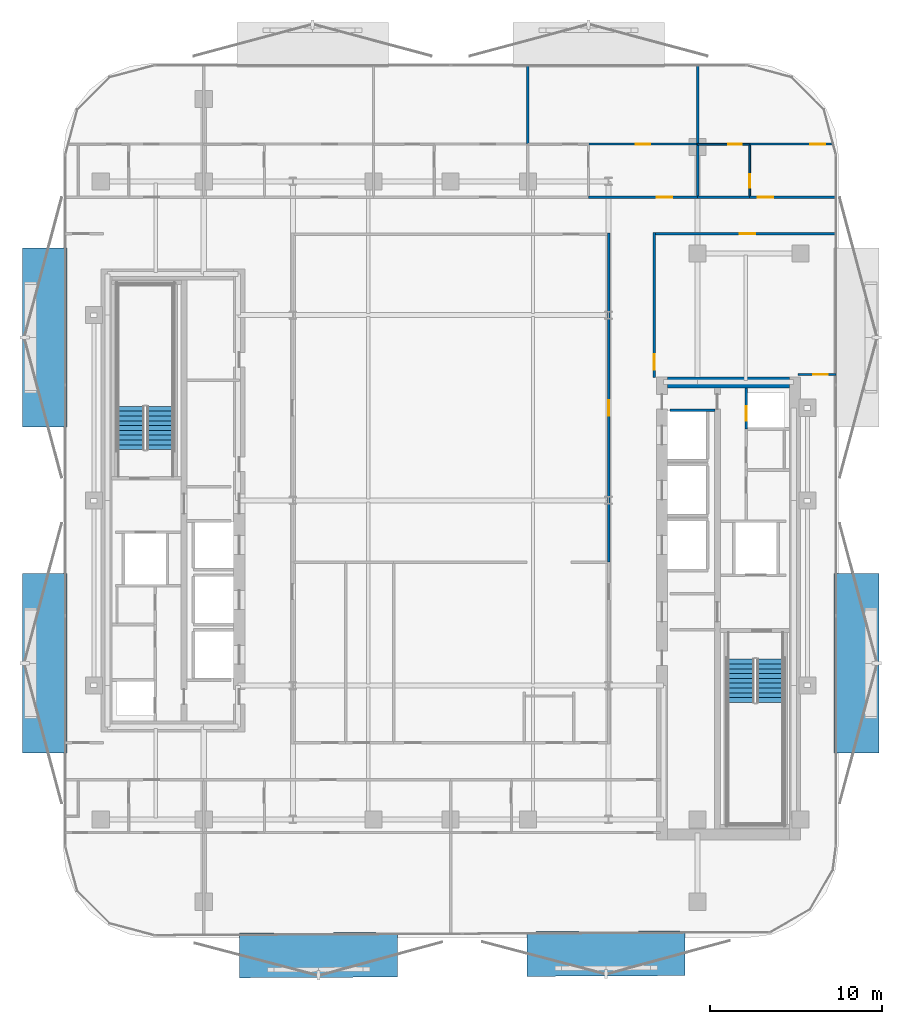
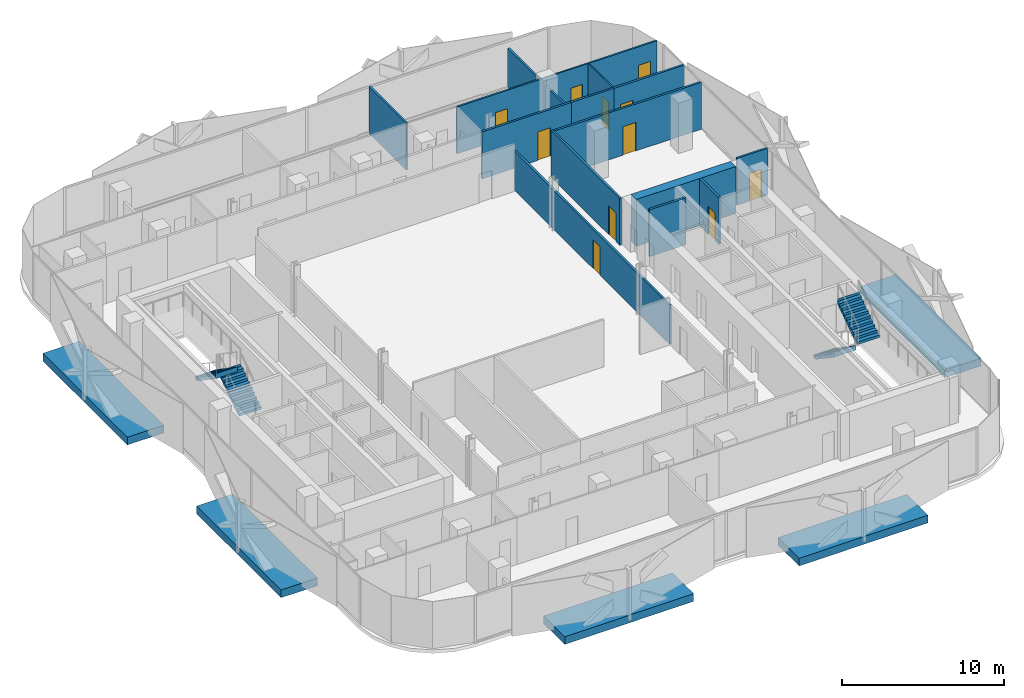
# One storey, part 7 of 17: 17 walls, 11 doors, 5 discrete accessories, 4 stair flights, 11 openings, 2 elements without a shape of their own.
"""IFC4 building model written with IfcOpenShell, lengths in metres."""

from ifc_helpers import new_model, si_unit, direction, frame, frame_2d, origin, origin_2d, place, context, subcontext, project, spatial, polyline, rectangle, outline, extrude, material, layer, layer_set, type_object, element, fill, aggregate, save


model = new_model("IFC4")

# Units and contexts
model_context = context("Model", 3, precision=1e-05, world=origin(), true_north=direction((0.0, 1.0)))
body_context = subcontext(model_context, "Body", "Model", "MODEL_VIEW")
ifc_project = project(units=[si_unit("LENGTHUNIT", "METRE"), si_unit("AREAUNIT", "SQUARE_METRE"), si_unit("VOLUMEUNIT", "CUBIC_METRE"), si_unit("PLANEANGLEUNIT", "RADIAN"), si_unit("MASSUNIT", "GRAM", prefix="KILO")], contexts=[model_context])

# Site, building, storey
site_placement = place(None, origin())
site = spatial("IfcSite", under=ifc_project, at=site_placement, CompositionType="ELEMENT")
building_placement = place(site_placement, origin())
building = spatial("IfcBuilding", under=site, at=building_placement, Name="Khairoan Windgate Tower", CompositionType="ELEMENT")
storey_placement = place(building_placement, frame((0.0, 0.0, 165.0)))
storey = spatial("IfcBuildingStorey", under=building, at=storey_placement, Name="L37", CompositionType="ELEMENT", Elevation=165.0)

# Wall, opening, door
ifc_material_1 = material(Name="Moisture-Resistant Gypsum Partition", Category="gypsum")
ifc_layer_1 = layer(ifc_material_1, 0.10009765625, Name="Moisture-Resistant Gypsum Partition")
ifc_layer_set_1 = layer_set([ifc_layer_1], Name="Moisture-Resistant Gypsum Partition")
wall_type_1 = type_object("IfcWallType", Name="Bathroom Wet-Area Partition Wall", PredefinedType="PARTITIONING", material=ifc_layer_set_1)
wall_1_placement = place(storey_placement, frame((17.43603515625, 17.7548828125, 0.0), z_axis=(0.0, 0.0, 1.0), x_axis=(0.0, 1.0, 0.0)))
wall_1 = element("IfcWall", 1, at=wall_1_placement, inside=storey, type_object=wall_type_1, Name="L37 Interior Partition 070", PredefinedType="PARTITIONING", context=body_context, shape_type="SweptSolid", body=[
    extrude(rectangle(XDim=2.965087890625, YDim=0.10009765625, at=frame_2d((1.482421875, 0.0))), origin(), (0.0, 0.0, 1.0), 3.5400390625),
])
opening_1_placement = place(wall_1_placement, frame((0.4599609375, 0.0, 0.0)))
opening_1 = element("IfcOpeningElement", 2, at=opening_1_placement, cuts=wall_1, Name="Opening ID-BTH", PredefinedType="OPENING", context=body_context, shape_type="SweptSolid", body=[
    extrude(rectangle(XDim=0.800048828125, YDim=2.10009765625, at=frame_2d((0.39990234375, 1.050048828125))), frame((0.0, 0.06005859375, 0.0), z_axis=(0.0, -1.0, 0.0), x_axis=(1.0, 0.0, 0.0)), (0.0, 0.0, 1.0), 0.1201171875),
])
ifc_material_2 = material(Name="Teak Veneer Timber Leaf", Category="wood")
door_type_1 = type_object("IfcDoorType", Name="Internal Bathroom Door ID-BTH 800x2100", OperationType="NOTDEFINED", PredefinedType="DOOR", material=ifc_material_2)
door_1_placement = place(opening_1_placement, origin())
door_1 = element("IfcDoor", 3, at=door_1_placement, inside=storey, type_object=door_type_1, Name="L37 L37-50-L37-51 Door", OperationType="SINGLE_SWING_RIGHT", OverallHeight=2.10009765625, OverallWidth=0.800048828125, PredefinedType="DOOR", context=body_context, shape_type="SweptSolid", body=[
    extrude(rectangle(XDim=0.800048828125, YDim=2.10009765625, at=frame_2d((0.39990234375, 1.050048828125))), frame((0.0, 0.02490234375, 0.0), z_axis=(0.0, -1.0, 0.0), x_axis=(1.0, 0.0, 0.0)), (0.0, 0.0, 1.0), 0.050048828125),
])
fill(opening_1, door_1)

wall_2_placement = place(storey_placement, frame((14.39990234375, 20.77001953125, 0.0), z_axis=(0.0, 0.0, 1.0), x_axis=(1.0, 0.0, 0.0)))
wall_2 = element("IfcWall", 4, at=wall_2_placement, inside=storey, type_object=wall_type_1, Name="L37 Interior Partition 071", PredefinedType="PARTITIONING", context=body_context, shape_type="SweptSolid", body=[
    extrude(rectangle(XDim=3.0361328125, YDim=0.10009765625, at=frame_2d((1.51806640625, 0.0))), origin(), (0.0, 0.0, 1.0), 3.5400390625),
])
opening_2_placement = place(wall_2_placement, frame((1.77587890625, 0.0, 0.0)))
opening_2 = element("IfcOpeningElement", 5, at=opening_2_placement, cuts=wall_2, Name="Opening ID-BTH", PredefinedType="OPENING", context=body_context, shape_type="SweptSolid", body=[
    extrude(rectangle(XDim=0.800048828125, YDim=2.10009765625, at=frame_2d((0.39990234375, 1.050048828125))), frame((0.0, 0.06005859375, 0.0), z_axis=(0.0, -1.0, 0.0), x_axis=(1.0, 0.0, 0.0)), (0.0, 0.0, 1.0), 0.1201171875),
])
door_2_placement = place(opening_2_placement, origin())
door_2 = element("IfcDoor", 6, at=door_2_placement, inside=storey, type_object=door_type_1, Name="L37 L37-50-L37-52 Door", OperationType="SINGLE_SWING_LEFT", OverallHeight=2.10009765625, OverallWidth=0.800048828125, PredefinedType="DOOR", context=body_context, shape_type="SweptSolid", body=[
    extrude(rectangle(XDim=0.800048828125, YDim=2.10009765625, at=frame_2d((0.39990234375, 1.050048828125))), frame((0.0, 0.02490234375, 0.0), z_axis=(0.0, -1.0, 0.0), x_axis=(1.0, 0.0, 0.0)), (0.0, 0.0, 1.0), 0.050048828125),
])
fill(opening_2, door_2)

# Walls
ifc_material_3 = material(Name="Concrete C40/50", Category="concrete")
ifc_layer_2 = layer(ifc_material_3, 0.159912109375, Name="Concrete C40/50")
ifc_layer_set_2 = layer_set([ifc_layer_2], Name="Concrete C40/50")
wall_type_2 = type_object("IfcWallType", Name="Core and Hoistway Enclosure Wall", PredefinedType="STANDARD", material=ifc_layer_set_2)
wall_3_placement = place(storey_placement, frame((12.800048828125, 5.25, 0.0), z_axis=(0.0, 0.0, 1.0), x_axis=(1.0, 0.0, 0.0)))
element("IfcWall", 7, at=wall_3_placement, inside=storey, type_object=wall_type_2, Name="L37 Core Shaft Wall SW-ESV-L37", PredefinedType="STANDARD", context=body_context, shape_type="SweptSolid", body=[
    extrude(rectangle(XDim=2.599853515625, YDim=0.159912109375, at=frame_2d((1.2998046875, 0.0))), origin(), (0.0, 0.0, 1.0), 3.5400390625),
])
ifc_material_4 = material(Name="Acoustic Fire-Rated Gypsum Partition", Category="gypsum")
ifc_layer_3 = layer(ifc_material_4, 0.139892578125, Name="Acoustic Fire-Rated Gypsum Partition")
ifc_layer_set_3 = layer_set([ifc_layer_3], Name="Acoustic Fire-Rated Gypsum Partition")
wall_type_3 = type_object("IfcWallType", Name="Inter-Tenancy Compartment Wall", PredefinedType="PARTITIONING", material=ifc_layer_set_3)
wall_4_placement = place(storey_placement, frame((4.5, 20.77001953125, 0.0), z_axis=(0.0, 0.0, 1.0), x_axis=(0.0, 1.0, 0.0)))
element("IfcWall", 8, at=wall_4_placement, inside=storey, type_object=wall_type_3, Name="L37 Interior Partition 064", PredefinedType="PARTITIONING", context=body_context, shape_type="SweptSolid", body=[
    extrude(rectangle(XDim=4.5849609375, YDim=0.139892578125, at=frame_2d((2.29248046875, 0.0))), origin(), (0.0, 0.0, 1.0), 3.5400390625),
])
wall_5_placement = place(storey_placement, frame((14.39990234375, 17.7548828125, 0.0), z_axis=(0.0, 0.0, 1.0), x_axis=(0.0, 1.0, 0.0)))
element("IfcWall", 9, at=wall_5_placement, inside=storey, type_object=wall_type_3, Name="L37 Interior Partition 068", PredefinedType="PARTITIONING", context=body_context, shape_type="SweptSolid", body=[
    extrude(rectangle(XDim=3.01513671875, YDim=0.139892578125, at=frame_2d((1.507568359375, 0.0))), origin(), (0.0, 0.0, 1.0), 2.951904296875),
])
wall_6_placement = place(storey_placement, frame((14.39990234375, 20.77001953125, 0.0), z_axis=(0.0, 0.0, 1.0), x_axis=(0.0, 1.0, 0.0)))
element("IfcWall", 10, at=wall_6_placement, inside=storey, type_object=wall_type_3, Name="L37 Interior Partition 069", PredefinedType="PARTITIONING", context=body_context, shape_type="SweptSolid", body=[
    extrude(rectangle(XDim=4.5849609375, YDim=0.139892578125, at=frame_2d((2.29248046875, 0.0))), origin(), (0.0, 0.0, 1.0), 2.951904296875),
])

# Wall, opening, door
wall_7_placement = place(storey_placement, frame((20.239990234375, 7.340087890625, 0.0), z_axis=(0.0, 0.0, 1.0), x_axis=(1.0, 0.0, 0.0)))
wall_7 = element("IfcWall", 11, at=wall_7_placement, inside=storey, type_object=wall_type_3, Name="L37 Interior Partition 086", PredefinedType="PARTITIONING", context=body_context, shape_type="SweptSolid", body=[
    extrude(rectangle(XDim=2.215087890625, YDim=0.139892578125, at=frame_2d((1.107421875, 0.0))), origin(), (0.0, 0.0, 1.0), 3.5400390625),
])
opening_3_placement = place(wall_7_placement, frame((0.905029296875, 0.0, 0.0)))
opening_3 = element("IfcOpeningElement", 12, at=opening_3_placement, cuts=wall_7, Name="Opening FD-SRV", PredefinedType="OPENING", context=body_context, shape_type="SweptSolid", body=[
    extrude(rectangle(XDim=0.85009765625, YDim=2.10009765625, at=frame_2d((0.425048828125, 1.050048828125))), frame((0.0, 0.079833984375, 0.0), z_axis=(0.0, -1.0, 0.0), x_axis=(1.0, 0.0, 0.0)), (0.0, 0.0, 1.0), 0.159912109375),
])
ifc_material_5 = material(Name="Steel S355", Category="steel")
door_type_2 = type_object("IfcDoorType", Name="Core Service and Riser Fire Door FD-SRV 850x2100", OperationType="NOTDEFINED", PredefinedType="DOOR", material=ifc_material_5)
door_3_placement = place(opening_3_placement, origin())
door_3 = element("IfcDoor", 13, at=door_3_placement, inside=storey, type_object=door_type_2, Name="L37 L37-62-L37-64 Door", OperationType="SINGLE_SWING_RIGHT", OverallHeight=2.10009765625, OverallWidth=0.85009765625, PredefinedType="DOOR", context=body_context, shape_type="SweptSolid", body=[
    extrude(rectangle(XDim=0.85009765625, YDim=2.10009765625, at=frame_2d((0.425048828125, 1.050048828125))), frame((0.0, 0.02490234375, 0.0), z_axis=(0.0, -1.0, 0.0), x_axis=(1.0, 0.0, 0.0)), (0.0, 0.0, 1.0), 0.050048828125),
])
fill(opening_3, door_3)

ifc_material_6 = material(Name="Gypsum Stud Partition", Category="gypsum")
ifc_layer_4 = layer(ifc_material_6, 0.1201171875, Name="Gypsum Stud Partition")
ifc_layer_set_4 = layer_set([ifc_layer_4], Name="Gypsum Stud Partition")
wall_type_4 = type_object("IfcWallType", Name="Internal Room Partition Wall", PredefinedType="PARTITIONING", material=ifc_layer_set_4)
wall_8_placement = place(storey_placement, frame((8.0400390625, 20.77001953125, 0.0), z_axis=(0.0, 0.0, 1.0), x_axis=(1.0, 0.0, 0.0)))
wall_8 = element("IfcWall", 14, at=wall_8_placement, inside=storey, type_object=wall_type_4, Name="L37 Interior Partition 067", PredefinedType="PARTITIONING", context=body_context, shape_type="SweptSolid", body=[
    extrude(rectangle(XDim=6.35986328125, YDim=0.1201171875, at=frame_2d((3.179931640625, 0.0))), origin(), (0.0, 0.0, 1.0), 3.5400390625),
])
opening_4_placement = place(wall_8_placement, frame((2.75, 0.0, 0.0)))
opening_4 = element("IfcOpeningElement", 15, at=opening_4_placement, cuts=wall_8, Name="Opening ID-RM", PredefinedType="OPENING", context=body_context, shape_type="SweptSolid", body=[
    extrude(rectangle(XDim=0.860107421875, YDim=2.14990234375, at=frame_2d((0.43017578125, 1.074951171875))), frame((0.0, 0.070068359375, 0.0), z_axis=(0.0, -1.0, 0.0), x_axis=(1.0, 0.0, 0.0)), (0.0, 0.0, 1.0), 0.14013671875),
])
ifc_material_7 = material(Name="Teak Veneer Timber Leaf", Category="wood")
door_type_3 = type_object("IfcDoorType", Name="Internal Bedroom and Office Door ID-RM 860x2150", OperationType="NOTDEFINED", PredefinedType="DOOR", material=ifc_material_7)
door_4_placement = place(opening_4_placement, origin())
door_4 = element("IfcDoor", 16, at=door_4_placement, inside=storey, type_object=door_type_3, Name="L37 L37-48-L37-49 Door", OperationType="SINGLE_SWING_LEFT", OverallHeight=2.14990234375, OverallWidth=0.860107421875, PredefinedType="DOOR", context=body_context, shape_type="SweptSolid", body=[
    extrude(rectangle(XDim=0.860107421875, YDim=2.14990234375, at=frame_2d((0.43017578125, 1.074951171875))), frame((0.0, 0.02490234375, 0.0), z_axis=(0.0, -1.0, 0.0), x_axis=(1.0, 0.0, 0.0)), (0.0, 0.0, 1.0), 0.050048828125),
])
fill(opening_4, door_4)

wall_9_placement = place(storey_placement, frame((17.43603515625, 20.77001953125, 0.0), z_axis=(0.0, 0.0, 1.0), x_axis=(1.0, 0.0, 0.0)))
wall_9 = element("IfcWall", 17, at=wall_9_placement, inside=storey, type_object=wall_type_4, Name="L37 Interior Partition 072", PredefinedType="PARTITIONING", context=body_context, shape_type="SweptSolid", body=[
    extrude(rectangle(XDim=4.864013671875, YDim=0.1201171875, at=frame_2d((2.43212890625, 0.0))), origin(), (0.0, 0.0, 1.0), 3.5400390625),
])
opening_5_placement = place(wall_9_placement, frame((3.544189453125, 0.0, 0.0)))
opening_5 = element("IfcOpeningElement", 18, at=opening_5_placement, cuts=wall_9, Name="Opening ID-RM", PredefinedType="OPENING", context=body_context, shape_type="SweptSolid", body=[
    extrude(rectangle(XDim=0.860107421875, YDim=2.14990234375, at=frame_2d((0.43017578125, 1.074951171875))), frame((0.0, 0.070068359375, 0.0), z_axis=(0.0, -1.0, 0.0), x_axis=(1.0, 0.0, 0.0)), (0.0, 0.0, 1.0), 0.14013671875),
])
door_5_placement = place(opening_5_placement, origin())
door_5 = element("IfcDoor", 19, at=door_5_placement, inside=storey, type_object=door_type_3, Name="L37 L37-51-L37-52 Door", OperationType="SINGLE_SWING_RIGHT", OverallHeight=2.14990234375, OverallWidth=0.860107421875, PredefinedType="DOOR", context=body_context, shape_type="SweptSolid", body=[
    extrude(rectangle(XDim=0.860107421875, YDim=2.14990234375, at=frame_2d((0.43017578125, 1.074951171875))), frame((0.0, 0.02490234375, 0.0), z_axis=(0.0, -1.0, 0.0), x_axis=(1.0, 0.0, 0.0)), (0.0, 0.0, 1.0), 0.050048828125),
])
fill(opening_5, door_5)

ifc_material_8 = material(Name="Concrete C40/50", Category="concrete")
ifc_layer_5 = layer(ifc_material_8, 0.159912109375, Name="Concrete C40/50")
ifc_layer_set_5 = layer_set([ifc_layer_5], Name="Concrete C40/50")
wall_type_5 = type_object("IfcWallType", Name="Plant and Refuge Compartment Wall", PredefinedType="PARTITIONING", material=ifc_layer_set_5)
wall_10_placement = place(storey_placement, frame((17.22998046875, 4.169921875, 0.0), z_axis=(0.0, 0.0, 1.0), x_axis=(0.0, 1.0, 0.0)))
wall_10 = element("IfcWall", 20, at=wall_10_placement, inside=storey, type_object=wall_type_5, Name="L37 Interior Partition 007", PredefinedType="PARTITIONING", context=body_context, shape_type="SweptSolid", body=[
    extrude(rectangle(XDim=2.380126953125, YDim=0.159912109375, at=frame_2d((1.18994140625, 0.0))), origin(), (0.0, 0.0, 1.0), 3.5400390625),
])
opening_6_placement = place(wall_10_placement, frame((0.4599609375, 0.0, 0.0)))
opening_6 = element("IfcOpeningElement", 21, at=opening_6_placement, cuts=wall_10, Name="Opening FD-SRV", PredefinedType="OPENING", context=body_context, shape_type="SweptSolid", body=[
    extrude(rectangle(XDim=0.85009765625, YDim=2.10009765625, at=frame_2d((0.425048828125, 1.050048828125))), frame((0.0, 0.08984375, 0.0), z_axis=(0.0, -1.0, 0.0), x_axis=(1.0, 0.0, 0.0)), (0.0, 0.0, 1.0), 0.179931640625),
])
door_6_placement = place(opening_6_placement, origin())
door_6 = element("IfcDoor", 22, at=door_6_placement, inside=storey, type_object=door_type_2, Name="L37 L37-18-L37-19 Door", OperationType="SINGLE_SWING_LEFT", OverallHeight=2.10009765625, OverallWidth=0.85009765625, PredefinedType="DOOR", context=body_context, shape_type="SweptSolid", body=[
    extrude(rectangle(XDim=0.85009765625, YDim=2.10009765625, at=frame_2d((0.425048828125, 1.050048828125))), frame((0.0, 0.02490234375, 0.0), z_axis=(0.0, -1.0, 0.0), x_axis=(1.0, 0.0, 0.0)), (0.0, 0.0, 1.0), 0.050048828125),
])
fill(opening_6, door_6)

ifc_material_9 = material(Name="Acoustic Fire-Rated Gypsum Partition", Category="gypsum")
ifc_layer_6 = layer(ifc_material_9, 0.14990234375, Name="Acoustic Fire-Rated Gypsum Partition")
ifc_layer_set_6 = layer_set([ifc_layer_6], Name="Acoustic Fire-Rated Gypsum Partition")
wall_type_6 = type_object("IfcWallType", Name="Rated Corridor Partition Wall", PredefinedType="PARTITIONING", material=ifc_layer_set_6)
wall_11_placement = place(storey_placement, frame((9.219970703125, -3.60009765625, 0.0), z_axis=(0.0, 0.0, 1.0), x_axis=(0.0, 1.0, 0.0)))
wall_11 = element("IfcWall", 23, at=wall_11_placement, inside=storey, type_object=wall_type_6, Name="L37 Interior Partition 015", PredefinedType="PARTITIONING", context=body_context, shape_type="SweptSolid", body=[
    extrude(rectangle(XDim=19.195068359375, YDim=0.14990234375, at=frame_2d((9.59765625, 0.0))), origin(), (0.0, 0.0, 1.0), 2.951904296875),
])
opening_7_placement = place(wall_11_placement, frame((8.54150390625, 0.0, 0.0)))
opening_7 = element("IfcOpeningElement", 24, at=opening_7_placement, cuts=wall_11, Name="Opening FD-ENT", PredefinedType="OPENING", context=body_context, shape_type="SweptSolid", body=[
    extrude(rectangle(XDim=0.89990234375, YDim=2.14990234375, at=frame_2d((0.449951171875, 1.074951171875))), frame((0.0, 0.0849609375, 0.0), z_axis=(0.0, -1.0, 0.0), x_axis=(1.0, 0.0, 0.0)), (0.0, 0.0, 1.0), 0.169921875),
])
ifc_material_10 = material(Name="Timber Fire-Rated Core", Category="wood")
door_type_4 = type_object("IfcDoorType", Name="Unit and Office Fire Entrance Door FD-ENT 900x2150", OperationType="NOTDEFINED", PredefinedType="DOOR", material=ifc_material_10)
door_7_placement = place(opening_7_placement, origin())
door_7 = element("IfcDoor", 25, at=door_7_placement, inside=storey, type_object=door_type_4, Name="L37 L37-29-L37-37 Door", OperationType="SINGLE_SWING_LEFT", OverallHeight=2.14990234375, OverallWidth=0.89990234375, PredefinedType="DOOR", context=body_context, shape_type="SweptSolid", body=[
    extrude(rectangle(XDim=0.89990234375, YDim=2.14990234375, at=frame_2d((0.449951171875, 1.074951171875))), frame((0.0, 0.02490234375, 0.0), z_axis=(0.0, -1.0, 0.0), x_axis=(1.0, 0.0, 0.0)), (0.0, 0.0, 1.0), 0.050048828125),
])
fill(opening_7, door_7)

wall_12_placement = place(storey_placement, frame((11.8798828125, 7.159912109375, 0.0), z_axis=(0.0, 0.0, 1.0), x_axis=(0.0, 1.0, 0.0)))
wall_12 = element("IfcWall", 26, at=wall_12_placement, inside=storey, type_object=wall_type_6, Name="L37 Interior Partition 016", PredefinedType="PARTITIONING", context=body_context, shape_type="SweptSolid", body=[
    extrude(rectangle(XDim=8.455078125, YDim=0.14990234375, at=frame_2d((4.2275390625, 0.0))), origin(), (0.0, 0.0, 1.0), 3.5400390625),
])
opening_8_placement = place(wall_12_placement, frame((0.4599609375, 0.0, 0.0)))
opening_8 = element("IfcOpeningElement", 27, at=opening_8_placement, cuts=wall_12, Name="Opening FD-ENT", PredefinedType="OPENING", context=body_context, shape_type="SweptSolid", body=[
    extrude(rectangle(XDim=0.89990234375, YDim=2.14990234375, at=frame_2d((0.449951171875, 1.074951171875))), frame((0.0, 0.0849609375, 0.0), z_axis=(0.0, -1.0, 0.0), x_axis=(1.0, 0.0, 0.0)), (0.0, 0.0, 1.0), 0.169921875),
])
door_8_placement = place(opening_8_placement, origin())
door_8 = element("IfcDoor", 28, at=door_8_placement, inside=storey, type_object=door_type_4, Name="L37 L37-29-L37-62 Door", OperationType="SINGLE_SWING_RIGHT", OverallHeight=2.14990234375, OverallWidth=0.89990234375, PredefinedType="DOOR", context=body_context, shape_type="SweptSolid", body=[
    extrude(rectangle(XDim=0.89990234375, YDim=2.14990234375, at=frame_2d((0.449951171875, 1.074951171875))), frame((0.0, 0.02490234375, 0.0), z_axis=(0.0, -1.0, 0.0), x_axis=(1.0, 0.0, 0.0)), (0.0, 0.0, 1.0), 0.050048828125),
])
fill(opening_8, door_8)

wall_13_placement = place(storey_placement, frame((8.0400390625, 17.679931640625, 0.0), z_axis=(0.0, 0.0, 1.0), x_axis=(1.0, 0.0, 0.0)))
wall_13 = element("IfcWall", 29, at=wall_13_placement, inside=storey, type_object=wall_type_6, Name="L37 Interior Partition 025", PredefinedType="PARTITIONING", context=body_context, shape_type="SweptSolid", body=[
    extrude(rectangle(XDim=6.35986328125, YDim=0.14990234375, at=frame_2d((3.179931640625, 0.0))), origin(), (0.0, 0.0, 1.0), 3.5400390625),
])
opening_9_placement = place(wall_13_placement, frame((3.96826171875, 0.0, 0.0)))
opening_9 = element("IfcOpeningElement", 30, at=opening_9_placement, cuts=wall_13, Name="Opening FD-ENT", PredefinedType="OPENING", context=body_context, shape_type="SweptSolid", body=[
    extrude(rectangle(XDim=0.89990234375, YDim=2.14990234375, at=frame_2d((0.449951171875, 1.074951171875))), frame((0.0, 0.0849609375, 0.0), z_axis=(0.0, -1.0, 0.0), x_axis=(1.0, 0.0, 0.0)), (0.0, 0.0, 1.0), 0.169921875),
])
door_9_placement = place(opening_9_placement, origin())
door_9 = element("IfcDoor", 31, at=door_9_placement, inside=storey, type_object=door_type_4, Name="L37 L37-30-L37-48 Door", OperationType="SINGLE_SWING_LEFT", OverallHeight=2.14990234375, OverallWidth=0.89990234375, PredefinedType="DOOR", context=body_context, shape_type="SweptSolid", body=[
    extrude(rectangle(XDim=0.89990234375, YDim=2.14990234375, at=frame_2d((0.449951171875, 1.074951171875))), frame((0.0, 0.02490234375, 0.0), z_axis=(0.0, -1.0, 0.0), x_axis=(1.0, 0.0, 0.0)), (0.0, 0.0, 1.0), 0.050048828125),
])
fill(opening_9, door_9)

# Wall
wall_14_placement = place(storey_placement, frame((14.39990234375, 17.679931640625, 0.0), z_axis=(0.0, 0.0, 1.0), x_axis=(1.0, 0.0, 0.0)))
element("IfcWall", 32, at=wall_14_placement, inside=storey, type_object=wall_type_6, Name="L37 Interior Partition 026", PredefinedType="PARTITIONING", context=body_context, shape_type="SweptSolid", body=[
    extrude(rectangle(XDim=3.0361328125, YDim=0.14990234375, at=frame_2d((1.51806640625, 0.0))), origin(), (0.0, 0.0, 1.0), 3.5400390625),
])

# Wall, opening, door
wall_15_placement = place(storey_placement, frame((17.43603515625, 17.679931640625, 0.0), z_axis=(0.0, 0.0, 1.0), x_axis=(1.0, 0.0, 0.0)))
wall_15 = element("IfcWall", 33, at=wall_15_placement, inside=storey, type_object=wall_type_6, Name="L37 Interior Partition 027", PredefinedType="PARTITIONING", context=body_context, shape_type="SweptSolid", body=[
    extrude(rectangle(XDim=5.01904296875, YDim=0.14990234375, at=frame_2d((2.509521484375, 0.0))), origin(), (0.0, 0.0, 1.0), 3.5400390625),
])
opening_10_placement = place(wall_15_placement, frame((0.4599609375, 0.0, 0.0)))
opening_10 = element("IfcOpeningElement", 34, at=opening_10_placement, cuts=wall_15, Name="Opening FD-ENT", PredefinedType="OPENING", context=body_context, shape_type="SweptSolid", body=[
    extrude(rectangle(XDim=0.89990234375, YDim=2.14990234375, at=frame_2d((0.449951171875, 1.074951171875))), frame((0.0, 0.0849609375, 0.0), z_axis=(0.0, -1.0, 0.0), x_axis=(1.0, 0.0, 0.0)), (0.0, 0.0, 1.0), 0.169921875),
])
door_10_placement = place(opening_10_placement, origin())
door_10 = element("IfcDoor", 35, at=door_10_placement, inside=storey, type_object=door_type_4, Name="L37 L37-30-L37-51 Door", OperationType="SINGLE_SWING_RIGHT", OverallHeight=2.14990234375, OverallWidth=0.89990234375, PredefinedType="DOOR", context=body_context, shape_type="SweptSolid", body=[
    extrude(rectangle(XDim=0.89990234375, YDim=2.14990234375, at=frame_2d((0.449951171875, 1.074951171875))), frame((0.0, 0.02490234375, 0.0), z_axis=(0.0, -1.0, 0.0), x_axis=(1.0, 0.0, 0.0)), (0.0, 0.0, 1.0), 0.050048828125),
])
fill(opening_10, door_10)

wall_16_placement = place(storey_placement, frame((11.955078125, 15.5400390625, 0.0), z_axis=(0.0, 0.0, 1.0), x_axis=(1.0, 0.0, 0.0)))
wall_16 = element("IfcWall", 36, at=wall_16_placement, inside=storey, type_object=wall_type_6, Name="L37 Interior Partition 028", PredefinedType="PARTITIONING", context=body_context, shape_type="SweptSolid", body=[
    extrude(rectangle(XDim=10.5, YDim=0.14990234375, at=frame_2d((5.25, 0.0))), origin(), (0.0, 0.0, 1.0), 3.5400390625),
])
opening_11_placement = place(wall_16_placement, frame((4.90087890625, 0.0, 0.0)))
opening_11 = element("IfcOpeningElement", 37, at=opening_11_placement, cuts=wall_16, Name="Opening FD-ENT", PredefinedType="OPENING", context=body_context, shape_type="SweptSolid", body=[
    extrude(rectangle(XDim=0.89990234375, YDim=2.14990234375, at=frame_2d((0.449951171875, 1.074951171875))), frame((0.0, 0.0849609375, 0.0), z_axis=(0.0, -1.0, 0.0), x_axis=(1.0, 0.0, 0.0)), (0.0, 0.0, 1.0), 0.169921875),
])
door_11_placement = place(opening_11_placement, origin())
door_11 = element("IfcDoor", 38, at=door_11_placement, inside=storey, type_object=door_type_4, Name="L37 L37-30-L37-62 Door", OperationType="SINGLE_SWING_LEFT", OverallHeight=2.14990234375, OverallWidth=0.89990234375, PredefinedType="DOOR", context=body_context, shape_type="SweptSolid", body=[
    extrude(rectangle(XDim=0.89990234375, YDim=2.14990234375, at=frame_2d((0.449951171875, 1.074951171875))), frame((0.0, 0.02490234375, 0.0), z_axis=(0.0, -1.0, 0.0), x_axis=(1.0, 0.0, 0.0)), (0.0, 0.0, 1.0), 0.050048828125),
])
fill(opening_11, door_11)

# Wall
ifc_material_11 = material(Name="Concrete C60/75", Category="concrete")
ifc_layer_7 = layer(ifc_material_11, 0.64990234375, Name="Concrete C60/75")
ifc_layer_set_7 = layer_set([ifc_layer_7], Name="Concrete C60/75")
wall_type_7 = type_object("IfcWallType", Name="Shear Wall CW-E2 650mm", PredefinedType="SHEAR", material=ifc_layer_set_7)
wall_17_placement = place(storey_placement, frame((12.64990234375, 6.875, 0.0), z_axis=(0.0, 0.0, 1.0), x_axis=(1.0, 0.0, 0.0)))
element("IfcWall", 39, at=wall_17_placement, inside=storey, type_object=wall_type_7, Name="E Core North Shear Wall L37", PredefinedType="SHEAR", context=body_context, shape_type="SweptSolid", body=[
    extrude(rectangle(XDim=7.10009765625, YDim=0.64990234375, at=frame_2d((3.550048828125, 0.0))), origin(), (0.0, 0.0, 1.0), 3.5400390625),
])

# Stair, stair flights
ifc_material_12 = material(Name="Concrete C40/50", Category="concrete")
stair_type = type_object("IfcStairType", Name="Tower Core Dog-Leg Stair ST-T1 1560mm", PredefinedType="HALF_TURN_STAIR", material=ifc_material_12)
stair_1_placement = place(storey_placement, origin())
stair_1 = element("IfcStair", 40, at=stair_1_placement, inside=storey, type_object=stair_type, Name="L37 Stair ST1", PredefinedType="HALF_TURN_STAIR")
ifc_material_13 = material(Name="Concrete C40/50", Category="concrete")
ifc_layer_8 = layer(ifc_material_13, 0.14990234375, Name="Concrete C40/50")
ifc_layer_set_8 = layer_set([ifc_layer_8], Name="Concrete C40/50")
stair_flight_type = type_object("IfcStairFlightType", Name="Tower Core Stair Flight STF-1560", PredefinedType="STRAIGHT", material=ifc_layer_set_8)
stair_flight_1_placement = place(storey_placement, frame((16.929931640625, -9.260009765625, 0.0), z_axis=(0.0, 0.0, 1.0), x_axis=(0.0, -1.0, 0.0)))
stair_flight_1 = element("IfcStairFlight", 41, at=stair_flight_1_placement, type_object=stair_flight_type, Name="ST1 flight 1", NumberOfRisers=10, NumberOfTreads=9, PredefinedType="STRAIGHT", RiserHeight=0.19, TreadLength=0.28, context=body_context, shape_type="SweptSolid", body=[
    extrude(outline(polyline([(-0.00390625, 0.0), (-0.00390625, 0.18994140625), (0.0, 0.18994140625), (0.280029296875, 0.18994140625), (0.280029296875, 0.3798828125), (0.56005859375, 0.3798828125), (0.56005859375, 0.570068359375), (0.840087890625, 0.570068359375), (0.840087890625, 0.760009765625), (1.1201171875, 0.760009765625), (1.1201171875, 0.949951171875), (1.39990234375, 0.949951171875), (1.39990234375, 1.139892578125), (1.679931640625, 1.139892578125), (1.679931640625, 1.330078125), (1.9599609375, 1.330078125), (1.9599609375, 1.52001953125), (2.239990234375, 1.52001953125), (2.239990234375, 1.7099609375), (2.52001953125, 1.7099609375), (2.52001953125, 1.89990234375), (2.52392578125, 1.89990234375), (2.52392578125, 1.52880859375), (0.266845703125, 0.0), (-0.00390625, 0.0)])), frame((0.0, 0.780029296875, 0.0), z_axis=(0.0, -1.0, 0.0), x_axis=(1.0, 0.0, 0.0)), (0.0, 0.0, 1.0), 1.56005859375),
])
stair_flight_2_placement = place(storey_placement, frame((18.639892578125, -11.780029296875, 1.89990234375), z_axis=(0.0, 0.0, 1.0), x_axis=(0.0, 1.0, 0.0)))
stair_flight_2 = element("IfcStairFlight", 42, at=stair_flight_2_placement, type_object=stair_flight_type, Name="ST1 flight 2", NumberOfRisers=10, NumberOfTreads=9, PredefinedType="STRAIGHT", RiserHeight=0.19, TreadLength=0.28, context=body_context, shape_type="SweptSolid", body=[
    extrude(outline(polyline([(-0.00390625, 0.0), (-0.00390625, 0.18994140625), (0.0, 0.18994140625), (0.280029296875, 0.18994140625), (0.280029296875, 0.3798828125), (0.56005859375, 0.3798828125), (0.56005859375, 0.570068359375), (0.840087890625, 0.570068359375), (0.840087890625, 0.760009765625), (1.1201171875, 0.760009765625), (1.1201171875, 0.949951171875), (1.39990234375, 0.949951171875), (1.39990234375, 1.139892578125), (1.679931640625, 1.139892578125), (1.679931640625, 1.330078125), (1.9599609375, 1.330078125), (1.9599609375, 1.52001953125), (2.239990234375, 1.52001953125), (2.239990234375, 1.7099609375), (2.52001953125, 1.7099609375), (2.52001953125, 1.89990234375), (2.52392578125, 1.89990234375), (2.52392578125, 1.52880859375), (0.266845703125, 0.0), (-0.00390625, 0.0)])), frame((0.0, 0.780029296875, 0.0), z_axis=(0.0, -1.0, 0.0), x_axis=(1.0, 0.0, 0.0)), (0.0, 0.0, 1.0), 1.56005859375),
])
aggregate(stair_1, [stair_flight_1, stair_flight_2])

stair_2_placement = place(storey_placement, origin())
stair_2 = element("IfcStair", 43, at=stair_2_placement, inside=storey, type_object=stair_type, Name="L37 Stair ST2", PredefinedType="HALF_TURN_STAIR")
stair_flight_3_placement = place(storey_placement, frame((-16.929931640625, 2.9599609375, 0.0), z_axis=(0.0, 0.0, 1.0), x_axis=(0.0, 1.0, 0.0)))
stair_flight_3 = element("IfcStairFlight", 44, at=stair_flight_3_placement, type_object=stair_flight_type, Name="ST2 flight 1", NumberOfRisers=10, NumberOfTreads=9, PredefinedType="STRAIGHT", RiserHeight=0.19, TreadLength=0.28, context=body_context, shape_type="SweptSolid", body=[
    extrude(outline(polyline([(-0.00390625, 0.0), (-0.00390625, 0.18994140625), (0.0, 0.18994140625), (0.280029296875, 0.18994140625), (0.280029296875, 0.3798828125), (0.56005859375, 0.3798828125), (0.56005859375, 0.570068359375), (0.840087890625, 0.570068359375), (0.840087890625, 0.760009765625), (1.1201171875, 0.760009765625), (1.1201171875, 0.949951171875), (1.39990234375, 0.949951171875), (1.39990234375, 1.139892578125), (1.679931640625, 1.139892578125), (1.679931640625, 1.330078125), (1.9599609375, 1.330078125), (1.9599609375, 1.52001953125), (2.239990234375, 1.52001953125), (2.239990234375, 1.7099609375), (2.52001953125, 1.7099609375), (2.52001953125, 1.89990234375), (2.52392578125, 1.89990234375), (2.52392578125, 1.52880859375), (0.266845703125, 0.0), (-0.00390625, 0.0)])), frame((0.0, 0.780029296875, 0.0), z_axis=(0.0, -1.0, 0.0), x_axis=(1.0, 0.0, 0.0)), (0.0, 0.0, 1.0), 1.56005859375),
])
stair_flight_4_placement = place(storey_placement, frame((-18.639892578125, 5.47998046875, 1.89990234375), z_axis=(0.0, 0.0, 1.0), x_axis=(0.0, -1.0, 0.0)))
stair_flight_4 = element("IfcStairFlight", 45, at=stair_flight_4_placement, type_object=stair_flight_type, Name="ST2 flight 2", NumberOfRisers=10, NumberOfTreads=9, PredefinedType="STRAIGHT", RiserHeight=0.19, TreadLength=0.28, context=body_context, shape_type="SweptSolid", body=[
    extrude(outline(polyline([(-0.00390625, 0.0), (-0.00390625, 0.18994140625), (0.0, 0.18994140625), (0.280029296875, 0.18994140625), (0.280029296875, 0.3798828125), (0.56005859375, 0.3798828125), (0.56005859375, 0.570068359375), (0.840087890625, 0.570068359375), (0.840087890625, 0.760009765625), (1.1201171875, 0.760009765625), (1.1201171875, 0.949951171875), (1.39990234375, 0.949951171875), (1.39990234375, 1.139892578125), (1.679931640625, 1.139892578125), (1.679931640625, 1.330078125), (1.9599609375, 1.330078125), (1.9599609375, 1.52001953125), (2.239990234375, 1.52001953125), (2.239990234375, 1.7099609375), (2.52001953125, 1.7099609375), (2.52001953125, 1.89990234375), (2.52392578125, 1.89990234375), (2.52392578125, 1.52880859375), (0.266845703125, 0.0), (-0.00390625, 0.0)])), frame((0.0, 0.780029296875, 0.0), z_axis=(0.0, -1.0, 0.0), x_axis=(1.0, 0.0, 0.0)), (0.0, 0.0, 1.0), 1.56005859375),
])
aggregate(stair_2, [stair_flight_3, stair_flight_4])

# Discrete accessories
ifc_material_14 = material(Name="Steel S355", Category="steel")
discrete_accessory_type = type_object("IfcDiscreteAccessoryType", Name="Solar Screen Outrigger Slab Bracket SSB-1", PredefinedType="BRACKET", material=ifc_material_14)
for number, where, z_axis, x_axis, name in (
    (46, (9.0595703125, -26.43017578125, -0.419921875), (0.0, 0.0, 1.0), (-0.999988059021, -0.004886902454, 0.0), "L37 Solar Screen Outrigger Bracket 233"),
    (47, (-7.703369140625, -26.5126953125, -0.419921875), (0.0, 0.0, 1.0), (-0.999988059021, -0.004886902454, 0.0), "L37 Solar Screen Outrigger Bracket 234"),
):
    element("IfcDiscreteAccessory", number, at=place(storey_placement, frame(where, z_axis=z_axis, x_axis=x_axis)), inside=storey, type_object=discrete_accessory_type, Name=name, PredefinedType="BRACKET", context=body_context, shape_type="SweptSolid", body=[
        extrude(rectangle(XDim=9.219970703125, YDim=2.60009765625, at=origin_2d()), origin(), (0.0, 0.0, 1.0), 0.580078125),
    ])
for number, where, z_axis, x_axis, name in (
    (48, (-23.659912109375, -9.495361328125, -0.419921875), (0.0, 0.0, 1.0), (0.0, 1.0, 0.0), "L37 Solar Screen Outrigger Bracket 235"),
    (49, (-23.659912109375, 9.495361328125, -0.419921875), (0.0, 0.0, 1.0), (0.0, 1.0, 0.0), "L37 Solar Screen Outrigger Bracket 236"),
    (50, (23.659912109375, -9.495361328125, -0.419921875), (0.0, 0.0, 1.0), (0.0, -1.0, 0.0), "L37 Solar Screen Outrigger Bracket 240"),
):
    element("IfcDiscreteAccessory", number, at=place(storey_placement, frame(where, z_axis=z_axis, x_axis=x_axis)), inside=storey, type_object=discrete_accessory_type, Name=name, PredefinedType="BRACKET", context=body_context, shape_type="SweptSolid", body=[
        extrude(rectangle(XDim=10.445068359375, YDim=2.60009765625, at=origin_2d()), origin(), (0.0, 0.0, 1.0), 0.580078125),
    ])

save(model, "model.ifc")
